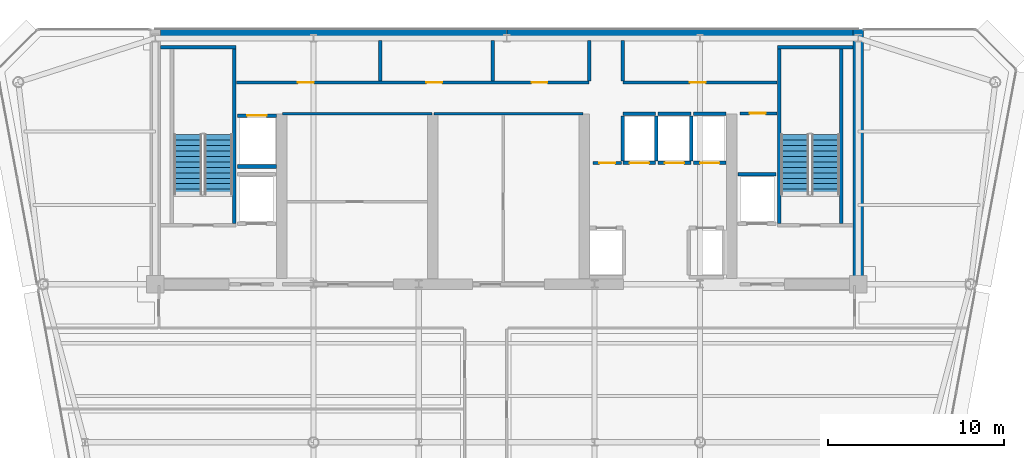
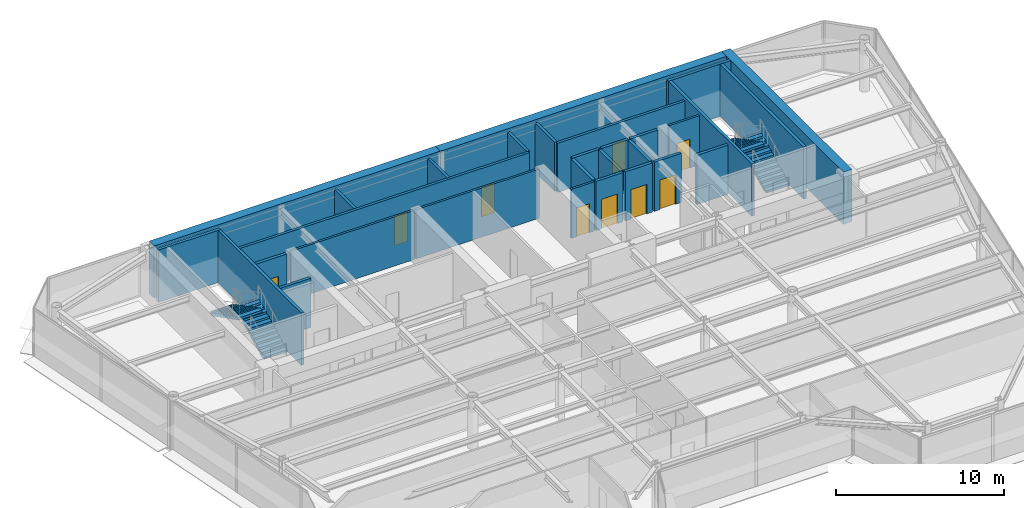
# One storey, part 11 of 18: 30 walls, 10 doors, 4 stair flights, 10 openings, 2 elements without a shape of their own.
"""IFC4 building model written with IfcOpenShell, lengths in metres."""

from ifc_helpers import new_model, si_unit, direction, frame, frame_2d, origin, place, context, subcontext, project, spatial, polyline, rectangle, outline, extrude, source, transform, mapped, material, layer, layer_set, type_object, element, fill, aggregate, save


model = new_model("IFC4")

# Units and contexts
model_context = context("Model", 3, precision=1e-05, world=origin(), true_north=direction((0.0, 1.0)))
body_context = subcontext(model_context, "Body", "Model", "MODEL_VIEW")
ifc_project = project(units=[si_unit("LENGTHUNIT", "METRE"), si_unit("AREAUNIT", "SQUARE_METRE"), si_unit("VOLUMEUNIT", "CUBIC_METRE"), si_unit("PLANEANGLEUNIT", "RADIAN"), si_unit("MASSUNIT", "GRAM", prefix="KILO")], contexts=[model_context])

# Site, building, storey
site_placement = place(None, origin())
site = spatial("IfcSite", under=ifc_project, at=site_placement, CompositionType="ELEMENT")
building_placement = place(site_placement, origin())
building = spatial("IfcBuilding", under=site, at=building_placement, Name="Vaeldorn Concourse Tower", CompositionType="ELEMENT")
storey_placement = place(building_placement, frame((0.0, 0.0, 242.199951171875)))
storey = spatial("IfcBuildingStorey", under=building, at=storey_placement, Name="L62", CompositionType="ELEMENT", Elevation=242.199951171875)

# Walls
ifc_material_1 = material(Name="Concrete C50/60", Category="concrete")
ifc_layer_1 = layer(ifc_material_1, 0.60009765625)
ifc_layer_set_1 = layer_set([ifc_layer_1], Name="Concrete C50/60")
wall_type_1 = type_object("IfcWallType", Name="WL-CORE-600", PredefinedType="SHEAR", material=ifc_layer_set_1)
for number, where, z_axis, x_axis, name in (
    (1, (14.303955078125, 50.699951171875, 0.0), (0.0, 0.0, 1.0), (1.0, 0.0, 0.0), "Rear Core Shear Wall L62 N1"),
    (2, (34.001953125, 50.699951171875, 0.0), (0.0, 0.0, 1.0), (1.0, 0.0, 0.0), "Rear Core Shear Wall L62 N2"),
):
    element("IfcWall", number, at=place(storey_placement, frame(where, z_axis=z_axis, x_axis=x_axis)), inside=storey, type_object=wall_type_1, Name=name, PredefinedType="SHEAR", context=body_context, shape_type="SweptSolid", body=[
        extrude(rectangle(XDim=19.694091796875, YDim=0.60009765625, at=frame_2d((9.84716796875, 0.0))), origin(), (0.0, 0.0, 1.0), 3.800048828125),
    ])
wall_1_placement = place(storey_placement, frame((54.0, 36.5, 0.0), z_axis=(0.0, 0.0, 1.0), x_axis=(0.0, 1.0, 0.0)))
element("IfcWall", 3, at=wall_1_placement, inside=storey, type_object=wall_type_1, Name="Rear Core Shear Wall L62 E1", PredefinedType="SHEAR", context=body_context, shape_type="SweptSolid", body=[
    extrude(rectangle(XDim=14.5, YDim=0.60009765625, at=frame_2d((7.25, 0.0))), origin(), (0.0, 0.0, 1.0), 3.800048828125),
])
ifc_material_2 = material(Name="Gypsum Board Partition", Category="gypsum")
ifc_layer_2 = layer(ifc_material_2, 0.14990234375)
ifc_layer_set_2 = layer_set([ifc_layer_2], Name="Gypsum Board Partition")
wall_type_2 = type_object("IfcWallType", Name="WL-PART-150", PredefinedType="PARTITIONING", material=ifc_layer_set_2)
for number, where, z_axis, x_axis, name in (
    (4, (21.25, 46.199951171875, 0.0), (0.0, 0.0, 1.0), (1.0, 0.0, 0.0), "Interior Wall CW-L62-R1N"),
    (5, (29.85009765625, 46.199951171875, 0.0), (0.0, 0.0, 1.0), (1.0, 0.0, 0.0), "Interior Wall CW-L62-R2N"),
):
    element("IfcWall", number, at=place(storey_placement, frame(where, z_axis=z_axis, x_axis=x_axis)), inside=storey, type_object=wall_type_2, Name=name, PredefinedType="PARTITIONING", context=body_context, shape_type="SweptSolid", body=[
        extrude(rectangle(XDim=8.5, YDim=0.14990234375, at=frame_2d((4.25, 0.0))), origin(), (0.0, 0.0, 1.0), 3.580078125),
    ])

# Wall, opening, door
wall_2_placement = place(storey_placement, frame((47.280029296875, 46.219970703125, 0.0), z_axis=(0.0, 0.0, 1.0), x_axis=(1.0, 0.0, 0.0)))
wall_2 = element("IfcWall", 6, at=wall_2_placement, inside=storey, type_object=wall_type_2, Name="Interior Wall CW-L62-CRSE-N", PredefinedType="PARTITIONING", context=body_context, shape_type="SweptSolid", body=[
    extrude(rectangle(XDim=2.099853515625, YDim=0.14990234375, at=frame_2d((1.0498046875, 0.0))), origin(), (0.0, 0.0, 1.0), 3.580078125),
])
opening_1_placement = place(wall_2_placement, frame((0.550048828125, 0.0, 0.0)))
opening_1 = element("IfcOpeningElement", 7, at=opening_1_placement, cuts=wall_2, Name="Opening D-02", PredefinedType="OPENING", context=body_context, shape_type="SweptSolid", body=[
    extrude(rectangle(XDim=0.89990234375, YDim=2.10009765625, at=frame_2d((0.449951171875, 1.050048828125))), frame((0.0, 0.0849609375, 0.0), z_axis=(0.0, -1.0, 0.0), x_axis=(1.0, 0.0, 0.0)), (0.0, 0.0, 1.0), 0.169921875),
])
ifc_material_3 = material(Name="Fire-Rated Timber Leaf", Category="wood")
door_type_1 = type_object("IfcDoorType", Name="DR-FD30-900", OperationType="NOTDEFINED", PredefinedType="DOOR", material=ifc_material_3)
shared_shape_1 = source(origin(), body_context, "Body", "SweptSolid", [
    extrude(rectangle(XDim=0.89990234375, YDim=2.10009765625, at=frame_2d((0.449951171875, 1.050048828125))), frame((0.0, 0.02490234375, 0.0), z_axis=(0.0, -1.0, 0.0), x_axis=(1.0, 0.0, 0.0)), (0.0, 0.0, 1.0), 0.050048828125),
])
door_1_placement = place(opening_1_placement, origin())
door_1 = element("IfcDoor", 8, at=door_1_placement, inside=storey, type_object=door_type_1, Name="Interior Door DR-L62-CRSE", OperationType="SINGLE_SWING_RIGHT", OverallHeight=2.10009765625, OverallWidth=0.89990234375, PredefinedType="DOOR", context=body_context, shape_type="MappedRepresentation", body=[
    mapped(shared_shape_1, transform((0.0, 0.0, 0.0), scale=1.0)),
])
fill(opening_1, door_1)

wall_3_placement = place(storey_placement, frame((38.919921875, 43.39990234375, 0.0), z_axis=(0.0, 0.0, 1.0), x_axis=(1.0, 0.0, 0.0)))
wall_3 = element("IfcWall", 9, at=wall_3_placement, inside=storey, type_object=wall_type_2, Name="Interior Wall CW-L62-CCLINK", PredefinedType="PARTITIONING", context=body_context, shape_type="SweptSolid", body=[
    extrude(rectangle(XDim=1.60009765625, YDim=0.14990234375, at=frame_2d((0.800048828125, 0.0))), origin(), (0.0, 0.0, 1.0), 3.580078125),
])
opening_2_placement = place(wall_3_placement, frame((0.35009765625, 0.0, 0.0)))
opening_2 = element("IfcOpeningElement", 10, at=opening_2_placement, cuts=wall_3, Name="Opening D-02", PredefinedType="OPENING", context=body_context, shape_type="SweptSolid", body=[
    extrude(rectangle(XDim=0.89990234375, YDim=2.10009765625, at=frame_2d((0.449951171875, 1.050048828125))), frame((0.0, 0.0849609375, 0.0), z_axis=(0.0, -1.0, 0.0), x_axis=(1.0, 0.0, 0.0)), (0.0, 0.0, 1.0), 0.169921875),
])
door_2_placement = place(opening_2_placement, origin())
door_2 = element("IfcDoor", 11, at=door_2_placement, inside=storey, type_object=door_type_1, Name="Interior Door DR-L62-CCLINK", OperationType="SINGLE_SWING_LEFT", OverallHeight=2.10009765625, OverallWidth=0.89990234375, PredefinedType="DOOR", context=body_context, shape_type="MappedRepresentation", body=[
    mapped(shared_shape_1, transform((0.0, 0.0, 0.0), scale=1.0)),
])
fill(opening_2, door_2)

# Wall, openings, doors
ifc_layer_3 = layer(ifc_material_2, 0.179931640625)
ifc_layer_set_3 = layer_set([ifc_layer_3], Name="Gypsum Board Partition")
wall_type_3 = type_object("IfcWallType", Name="WL-PLUMB-180", PredefinedType="PLUMBINGWALL", material=ifc_layer_set_3)
wall_4_placement = place(storey_placement, frame((18.6201171875, 47.97998046875, 0.0), z_axis=(0.0, 0.0, 1.0), x_axis=(1.0, 0.0, 0.0)))
wall_4 = element("IfcWall", 12, at=wall_4_placement, inside=storey, type_object=wall_type_3, Name="Interior Wall CW-L62-NS1W", PredefinedType="PLUMBINGWALL", context=body_context, shape_type="SweptSolid", body=[
    extrude(rectangle(XDim=20.059814453125, YDim=0.179931640625, at=frame_2d((10.02978515625, 0.0))), origin(), (0.0, 0.0, 1.0), 3.580078125),
])
opening_3_placement = place(wall_4_placement, frame((3.5, 0.0, 0.0)))
opening_3 = element("IfcOpeningElement", 13, at=opening_3_placement, cuts=wall_4, Name="Opening D-03", PredefinedType="OPENING", context=body_context, shape_type="SweptSolid", body=[
    extrude(rectangle(XDim=0.89990234375, YDim=2.14990234375, at=frame_2d((0.449951171875, 1.074951171875))), frame((0.0, 0.10009765625, 0.0), z_axis=(0.0, -1.0, 0.0), x_axis=(1.0, 0.0, 0.0)), (0.0, 0.0, 1.0), 0.199951171875),
])
opening_4_placement = place(wall_4_placement, frame((10.800048828125, 0.0, 0.0)))
opening_4 = element("IfcOpeningElement", 14, at=opening_4_placement, cuts=wall_4, Name="Opening D-03", PredefinedType="OPENING", context=body_context, shape_type="SweptSolid", body=[
    extrude(rectangle(XDim=0.89990234375, YDim=2.14990234375, at=frame_2d((0.449951171875, 1.074951171875))), frame((0.0, 0.10009765625, 0.0), z_axis=(0.0, -1.0, 0.0), x_axis=(1.0, 0.0, 0.0)), (0.0, 0.0, 1.0), 0.199951171875),
])
opening_5_placement = place(wall_4_placement, frame((16.800048828125, 0.0, 0.0)))
opening_5 = element("IfcOpeningElement", 15, at=opening_5_placement, cuts=wall_4, Name="Opening D-03", PredefinedType="OPENING", context=body_context, shape_type="SweptSolid", body=[
    extrude(rectangle(XDim=0.89990234375, YDim=2.14990234375, at=frame_2d((0.449951171875, 1.074951171875))), frame((0.0, 0.10009765625, 0.0), z_axis=(0.0, -1.0, 0.0), x_axis=(1.0, 0.0, 0.0)), (0.0, 0.0, 1.0), 0.199951171875),
])
ifc_material_4 = material(Name="Acoustic Bronze-Framed Glass Door", Category="glass")
door_type_2 = type_object("IfcDoorType", Name="DR-INT-900", OperationType="NOTDEFINED", PredefinedType="DOOR", material=ifc_material_4)
shared_shape_2 = source(origin(), body_context, "Body", "SweptSolid", [
    extrude(rectangle(XDim=0.89990234375, YDim=2.14990234375, at=frame_2d((0.449951171875, 1.074951171875))), frame((0.0, 0.02490234375, 0.0), z_axis=(0.0, -1.0, 0.0), x_axis=(1.0, 0.0, 0.0)), (0.0, 0.0, 1.0), 0.050048828125),
])
door_3_placement = place(opening_3_placement, origin())
door_3 = element("IfcDoor", 16, at=door_3_placement, inside=storey, type_object=door_type_2, Name="Interior Door DR-L62-CS1", OperationType="SINGLE_SWING_LEFT", OverallHeight=2.14990234375, OverallWidth=0.89990234375, PredefinedType="DOOR", context=body_context, shape_type="MappedRepresentation", body=[
    mapped(shared_shape_2, transform((0.0, 0.0, 0.0), scale=1.0)),
])
fill(opening_3, door_3)
door_4_placement = place(opening_4_placement, origin())
door_4 = element("IfcDoor", 17, at=door_4_placement, inside=storey, type_object=door_type_2, Name="Interior Door DR-L62-CS2", OperationType="SINGLE_SWING_RIGHT", OverallHeight=2.14990234375, OverallWidth=0.89990234375, PredefinedType="DOOR", context=body_context, shape_type="MappedRepresentation", body=[
    mapped(shared_shape_2, transform((0.0, 0.0, 0.0), scale=1.0)),
])
fill(opening_4, door_4)
door_5_placement = place(opening_5_placement, origin())
door_5 = element("IfcDoor", 18, at=door_5_placement, inside=storey, type_object=door_type_2, Name="Interior Door DR-L62-CS3", OperationType="SINGLE_SWING_LEFT", OverallHeight=2.14990234375, OverallWidth=0.89990234375, PredefinedType="DOOR", context=body_context, shape_type="MappedRepresentation", body=[
    mapped(shared_shape_2, transform((0.0, 0.0, 0.0), scale=1.0)),
])
fill(opening_5, door_5)

# Wall, opening, door
wall_5_placement = place(storey_placement, frame((40.6201171875, 47.97998046875, 0.0), z_axis=(0.0, 0.0, 1.0), x_axis=(1.0, 0.0, 0.0)))
wall_5 = element("IfcWall", 19, at=wall_5_placement, inside=storey, type_object=wall_type_3, Name="Interior Wall CW-L62-NS1E", PredefinedType="PLUMBINGWALL", context=body_context, shape_type="SweptSolid", body=[
    extrude(rectangle(XDim=8.759765625, YDim=0.179931640625, at=frame_2d((4.3798828125, 0.0))), origin(), (0.0, 0.0, 1.0), 3.580078125),
])
opening_6_placement = place(wall_5_placement, frame((3.800048828125, 0.0, 0.0)))
opening_6 = element("IfcOpeningElement", 20, at=opening_6_placement, cuts=wall_5, Name="Opening D-03", PredefinedType="OPENING", context=body_context, shape_type="SweptSolid", body=[
    extrude(rectangle(XDim=0.89990234375, YDim=2.14990234375, at=frame_2d((0.449951171875, 1.074951171875))), frame((0.0, 0.10009765625, 0.0), z_axis=(0.0, -1.0, 0.0), x_axis=(1.0, 0.0, 0.0)), (0.0, 0.0, 1.0), 0.199951171875),
])
door_6_placement = place(opening_6_placement, origin())
door_6 = element("IfcDoor", 21, at=door_6_placement, inside=storey, type_object=door_type_2, Name="Interior Door DR-L62-CS4", OperationType="SINGLE_SWING_RIGHT", OverallHeight=2.14990234375, OverallWidth=0.89990234375, PredefinedType="DOOR", context=body_context, shape_type="MappedRepresentation", body=[
    mapped(shared_shape_2, transform((0.0, 0.0, 0.0), scale=1.0)),
])
fill(opening_6, door_6)

# Walls
for number, where, z_axis, x_axis, name in (
    (22, (26.800048828125, 48.06005859375, 0.0), (0.0, 0.0, 1.0), (0.0, 1.0, 0.0), "Interior Wall CW-L62-NDIV1"),
    (23, (33.199951171875, 48.06005859375, 0.0), (0.0, 0.0, 1.0), (0.0, 1.0, 0.0), "Interior Wall CW-L62-NDIV2"),
    (24, (38.699951171875, 48.06005859375, 0.0), (0.0, 0.0, 1.0), (0.0, 1.0, 0.0), "Interior Wall CW-L62-NDIV3"),
    (25, (40.60009765625, 48.06005859375, 0.0), (0.0, 0.0, 1.0), (0.0, 1.0, 0.0), "Interior Wall CW-L62-NDIV4"),
):
    element("IfcWall", number, at=place(storey_placement, frame(where, z_axis=z_axis, x_axis=x_axis)), inside=storey, type_object=wall_type_3, Name=name, PredefinedType="PLUMBINGWALL", context=body_context, shape_type="SweptSolid", body=[
        extrude(rectangle(XDim=2.31982421875, YDim=0.179931640625, at=frame_2d((1.159912109375, 0.0))), origin(), (0.0, 0.0, 1.0), 3.580078125),
    ])
ifc_layer_4 = layer(ifc_material_1, 0.199951171875)
ifc_layer_set_4 = layer_set([ifc_layer_4], Name="Concrete C50/60")
wall_type_4 = type_object("IfcWallType", Name="WL-SHAFT-200", PredefinedType="SOLIDWALL", material=ifc_layer_set_4)
wall_6_placement = place(storey_placement, frame((14.300048828125, 50.0, 0.0), z_axis=(0.0, 0.0, 1.0), x_axis=(1.0, 0.0, 0.0)))
element("IfcWall", 26, at=wall_6_placement, inside=storey, type_object=wall_type_4, Name="Stair Shaft Wall CW-L62-ST-1-N", PredefinedType="SOLIDWALL", context=body_context, shape_type="SweptSolid", body=[
    extrude(rectangle(XDim=4.300048828125, YDim=0.199951171875, at=frame_2d((2.14990234375, 0.0))), origin(), (0.0, 0.0, 1.0), 3.800048828125),
])
wall_7_placement = place(storey_placement, frame((18.5, 39.9599609375, 0.0), z_axis=(0.0, 0.0, 1.0), x_axis=(0.0, 1.0, 0.0)))
element("IfcWall", 27, at=wall_7_placement, inside=storey, type_object=wall_type_4, Name="Stair Shaft Wall CW-L62-ST-1-E", PredefinedType="SOLIDWALL", context=body_context, shape_type="SweptSolid", body=[
    extrude(rectangle(XDim=9.929931640625, YDim=0.199951171875, at=frame_2d((4.96484375, 0.0))), origin(), (0.0, 0.0, 1.0), 3.800048828125),
])
wall_8_placement = place(storey_placement, frame((49.39990234375, 50.0, 0.0), z_axis=(0.0, 0.0, 1.0), x_axis=(1.0, 0.0, 0.0)))
element("IfcWall", 28, at=wall_8_placement, inside=storey, type_object=wall_type_4, Name="Stair Shaft Wall CW-L62-ST-2-N", PredefinedType="SOLIDWALL", context=body_context, shape_type="SweptSolid", body=[
    extrude(rectangle(XDim=4.300048828125, YDim=0.199951171875, at=frame_2d((2.14990234375, 0.0))), origin(), (0.0, 0.0, 1.0), 3.800048828125),
])
for number, where, z_axis, x_axis, name in (
    (29, (49.5, 39.9599609375, 0.0), (0.0, 0.0, 1.0), (0.0, 1.0, 0.0), "Stair Shaft Wall CW-L62-ST-2-W"),
    (30, (53.050048828125, 39.9599609375, 0.0), (0.0, 0.0, 1.0), (0.0, 1.0, 0.0), "Stair Shaft Wall CW-L62-ST-2-E"),
):
    element("IfcWall", number, at=place(storey_placement, frame(where, z_axis=z_axis, x_axis=x_axis)), inside=storey, type_object=wall_type_4, Name=name, PredefinedType="SOLIDWALL", context=body_context, shape_type="SweptSolid", body=[
        extrude(rectangle(XDim=9.929931640625, YDim=0.199951171875, at=frame_2d((4.96484375, 0.0))), origin(), (0.0, 0.0, 1.0), 3.800048828125),
    ])

# Wall, opening, door
wall_9_placement = place(storey_placement, frame((40.6201171875, 43.39990234375, 0.0), z_axis=(0.0, 0.0, 1.0), x_axis=(1.0, 0.0, 0.0)))
wall_9 = element("IfcWall", 31, at=wall_9_placement, inside=storey, type_object=wall_type_4, Name="Interior Wall CW-L62-LF-LF-15", PredefinedType="SOLIDWALL", context=body_context, shape_type="SweptSolid", body=[
    extrude(rectangle(XDim=1.85986328125, YDim=0.199951171875, at=frame_2d((0.929931640625, 0.0))), origin(), (0.0, 0.0, 1.0), 3.580078125),
])
opening_7_placement = place(wall_9_placement, frame((0.3798828125, 0.0, 0.0)))
opening_7 = element("IfcOpeningElement", 32, at=opening_7_placement, cuts=wall_9, Name="Opening LD-1", PredefinedType="OPENING", context=body_context, shape_type="SweptSolid", body=[
    extrude(rectangle(XDim=1.10009765625, YDim=2.14990234375, at=frame_2d((0.550048828125, 1.074951171875))), frame((0.0, 0.10986328125, 0.0), z_axis=(0.0, -1.0, 0.0), x_axis=(1.0, 0.0, 0.0)), (0.0, 0.0, 1.0), 0.219970703125),
])
ifc_material_5 = material(Name="Anodised Bronze Aluminium", Category="aluminium")
door_type_3 = type_object("IfcDoorType", Name="DR-LIFT-SLIDE-1100", OperationType="DOUBLE_DOOR_SLIDING", PredefinedType="DOOR", material=ifc_material_5)
shared_shape_3 = source(origin(), body_context, "Body", "SweptSolid", [
    extrude(rectangle(XDim=1.10009765625, YDim=2.14990234375, at=frame_2d((0.550048828125, 1.074951171875))), frame((0.0, 0.02490234375, 0.0), z_axis=(0.0, -1.0, 0.0), x_axis=(1.0, 0.0, 0.0)), (0.0, 0.0, 1.0), 0.050048828125),
])
door_7_placement = place(opening_7_placement, origin())
door_7 = element("IfcDoor", 33, at=door_7_placement, inside=storey, type_object=door_type_3, Name="Lift Landing Door LD-L62-LF-15", OperationType="DOUBLE_DOOR_SLIDING", OverallHeight=2.14990234375, OverallWidth=1.10009765625, PredefinedType="DOOR", context=body_context, shape_type="MappedRepresentation", body=[
    mapped(shared_shape_3, transform((0.0, 0.0, 0.0), scale=1.0)),
])
fill(opening_7, door_7)

# Walls
wall_10_placement = place(storey_placement, frame((40.6201171875, 46.199951171875, 0.0), z_axis=(0.0, 0.0, 1.0), x_axis=(1.0, 0.0, 0.0)))
element("IfcWall", 34, at=wall_10_placement, inside=storey, type_object=wall_type_4, Name="Interior Wall CW-L62-LFB-LF-15", PredefinedType="SOLIDWALL", context=body_context, shape_type="SweptSolid", body=[
    extrude(rectangle(XDim=1.85986328125, YDim=0.199951171875, at=frame_2d((0.929931640625, 0.0))), origin(), (0.0, 0.0, 1.0), 3.580078125),
])
for number, where, z_axis, x_axis, name in (
    (35, (40.60009765625, 43.52001953125, 0.0), (0.0, 0.0, 1.0), (0.0, 1.0, 0.0), "Interior Wall CW-L62-LFW-LF-15"),
    (36, (42.5, 43.52001953125, 0.0), (0.0, 0.0, 1.0), (0.0, 1.0, 0.0), "Interior Wall CW-L62-LFE-LF-15"),
):
    element("IfcWall", number, at=place(storey_placement, frame(where, z_axis=z_axis, x_axis=x_axis)), inside=storey, type_object=wall_type_4, Name=name, PredefinedType="SOLIDWALL", context=body_context, shape_type="SweptSolid", body=[
        extrude(rectangle(XDim=2.56005859375, YDim=0.199951171875, at=frame_2d((1.280029296875, 0.0))), origin(), (0.0, 0.0, 1.0), 3.580078125),
    ])

# Wall, opening, door
wall_11_placement = place(storey_placement, frame((42.6201171875, 43.39990234375, 0.0), z_axis=(0.0, 0.0, 1.0), x_axis=(1.0, 0.0, 0.0)))
wall_11 = element("IfcWall", 37, at=wall_11_placement, inside=storey, type_object=wall_type_4, Name="Interior Wall CW-L62-LF-LF-16", PredefinedType="SOLIDWALL", context=body_context, shape_type="SweptSolid", body=[
    extrude(rectangle(XDim=1.85986328125, YDim=0.199951171875, at=frame_2d((0.929931640625, 0.0))), origin(), (0.0, 0.0, 1.0), 3.580078125),
])
opening_8_placement = place(wall_11_placement, frame((0.3798828125, 0.0, 0.0)))
opening_8 = element("IfcOpeningElement", 38, at=opening_8_placement, cuts=wall_11, Name="Opening LD-1", PredefinedType="OPENING", context=body_context, shape_type="SweptSolid", body=[
    extrude(rectangle(XDim=1.10009765625, YDim=2.14990234375, at=frame_2d((0.550048828125, 1.074951171875))), frame((0.0, 0.10986328125, 0.0), z_axis=(0.0, -1.0, 0.0), x_axis=(1.0, 0.0, 0.0)), (0.0, 0.0, 1.0), 0.219970703125),
])
door_8_placement = place(opening_8_placement, origin())
door_8 = element("IfcDoor", 39, at=door_8_placement, inside=storey, type_object=door_type_3, Name="Lift Landing Door LD-L62-LF-16", OperationType="DOUBLE_DOOR_SLIDING", OverallHeight=2.14990234375, OverallWidth=1.10009765625, PredefinedType="DOOR", context=body_context, shape_type="MappedRepresentation", body=[
    mapped(shared_shape_3, transform((0.0, 0.0, 0.0), scale=1.0)),
])
fill(opening_8, door_8)

# Walls
wall_12_placement = place(storey_placement, frame((42.6201171875, 46.199951171875, 0.0), z_axis=(0.0, 0.0, 1.0), x_axis=(1.0, 0.0, 0.0)))
element("IfcWall", 40, at=wall_12_placement, inside=storey, type_object=wall_type_4, Name="Interior Wall CW-L62-LFB-LF-16", PredefinedType="SOLIDWALL", context=body_context, shape_type="SweptSolid", body=[
    extrude(rectangle(XDim=1.85986328125, YDim=0.199951171875, at=frame_2d((0.929931640625, 0.0))), origin(), (0.0, 0.0, 1.0), 3.580078125),
])
wall_13_placement = place(storey_placement, frame((44.5, 43.52001953125, 0.0), z_axis=(0.0, 0.0, 1.0), x_axis=(0.0, 1.0, 0.0)))
element("IfcWall", 41, at=wall_13_placement, inside=storey, type_object=wall_type_4, Name="Interior Wall CW-L62-LFE-LF-16", PredefinedType="SOLIDWALL", context=body_context, shape_type="SweptSolid", body=[
    extrude(rectangle(XDim=2.56005859375, YDim=0.199951171875, at=frame_2d((1.280029296875, 0.0))), origin(), (0.0, 0.0, 1.0), 3.580078125),
])

# Wall, opening, door
wall_14_placement = place(storey_placement, frame((44.6201171875, 43.39990234375, 0.0), z_axis=(0.0, 0.0, 1.0), x_axis=(1.0, 0.0, 0.0)))
wall_14 = element("IfcWall", 42, at=wall_14_placement, inside=storey, type_object=wall_type_4, Name="Interior Wall CW-L62-LF-LF-17", PredefinedType="SOLIDWALL", context=body_context, shape_type="SweptSolid", body=[
    extrude(rectangle(XDim=1.85986328125, YDim=0.199951171875, at=frame_2d((0.929931640625, 0.0))), origin(), (0.0, 0.0, 1.0), 3.580078125),
])
opening_9_placement = place(wall_14_placement, frame((0.3798828125, 0.0, 0.0)))
opening_9 = element("IfcOpeningElement", 43, at=opening_9_placement, cuts=wall_14, Name="Opening LD-1", PredefinedType="OPENING", context=body_context, shape_type="SweptSolid", body=[
    extrude(rectangle(XDim=1.10009765625, YDim=2.14990234375, at=frame_2d((0.550048828125, 1.074951171875))), frame((0.0, 0.10986328125, 0.0), z_axis=(0.0, -1.0, 0.0), x_axis=(1.0, 0.0, 0.0)), (0.0, 0.0, 1.0), 0.219970703125),
])
door_9_placement = place(opening_9_placement, origin())
door_9 = element("IfcDoor", 44, at=door_9_placement, inside=storey, type_object=door_type_3, Name="Lift Landing Door LD-L62-LF-17", OperationType="DOUBLE_DOOR_SLIDING", OverallHeight=2.14990234375, OverallWidth=1.10009765625, PredefinedType="DOOR", context=body_context, shape_type="MappedRepresentation", body=[
    mapped(shared_shape_3, transform((0.0, 0.0, 0.0), scale=1.0)),
])
fill(opening_9, door_9)

# Wall
wall_15_placement = place(storey_placement, frame((44.6201171875, 46.199951171875, 0.0), z_axis=(0.0, 0.0, 1.0), x_axis=(1.0, 0.0, 0.0)))
element("IfcWall", 45, at=wall_15_placement, inside=storey, type_object=wall_type_4, Name="Interior Wall CW-L62-LFB-LF-17", PredefinedType="SOLIDWALL", context=body_context, shape_type="SweptSolid", body=[
    extrude(rectangle(XDim=1.85986328125, YDim=0.199951171875, at=frame_2d((0.929931640625, 0.0))), origin(), (0.0, 0.0, 1.0), 3.580078125),
])

# Wall, opening, door
wall_16_placement = place(storey_placement, frame((18.669921875, 46.10009765625, 0.0), z_axis=(0.0, 0.0, 1.0), x_axis=(1.0, 0.0, 0.0)))
wall_16 = element("IfcWall", 46, at=wall_16_placement, inside=storey, type_object=wall_type_4, Name="Interior Wall CW-L62-LF-LF-SV1", PredefinedType="SOLIDWALL", context=body_context, shape_type="SweptSolid", body=[
    extrude(rectangle(XDim=2.219970703125, YDim=0.199951171875, at=frame_2d((1.10986328125, 0.0))), origin(), (0.0, 0.0, 1.0), 3.580078125),
])
opening_10_placement = place(wall_16_placement, frame((0.56005859375, 0.0, 0.0)))
opening_10 = element("IfcOpeningElement", 47, at=opening_10_placement, cuts=wall_16, Name="Opening LD-1", PredefinedType="OPENING", context=body_context, shape_type="SweptSolid", body=[
    extrude(rectangle(XDim=1.10009765625, YDim=2.14990234375, at=frame_2d((0.550048828125, 1.074951171875))), frame((0.0, 0.10986328125, 0.0), z_axis=(0.0, -1.0, 0.0), x_axis=(1.0, 0.0, 0.0)), (0.0, 0.0, 1.0), 0.219970703125),
])
door_10_placement = place(opening_10_placement, origin())
door_10 = element("IfcDoor", 48, at=door_10_placement, inside=storey, type_object=door_type_3, Name="Lift Landing Door LD-L62-LF-SV1", OperationType="DOUBLE_DOOR_SLIDING", OverallHeight=2.14990234375, OverallWidth=1.10009765625, PredefinedType="DOOR", context=body_context, shape_type="MappedRepresentation", body=[
    mapped(shared_shape_3, transform((0.0, 0.0, 0.0), scale=1.0)),
])
fill(opening_10, door_10)

# Walls
wall_17_placement = place(storey_placement, frame((18.669921875, 43.199951171875, 0.0), z_axis=(0.0, 0.0, 1.0), x_axis=(1.0, 0.0, 0.0)))
element("IfcWall", 49, at=wall_17_placement, inside=storey, type_object=wall_type_4, Name="Interior Wall CW-L62-LFB-LF-SV1", PredefinedType="SOLIDWALL", context=body_context, shape_type="SweptSolid", body=[
    extrude(rectangle(XDim=2.219970703125, YDim=0.199951171875, at=frame_2d((1.10986328125, 0.0))), origin(), (0.0, 0.0, 1.0), 3.580078125),
])
wall_18_placement = place(storey_placement, frame((47.169921875, 42.75, 0.0), z_axis=(0.0, 0.0, 1.0), x_axis=(1.0, 0.0, 0.0)))
element("IfcWall", 50, at=wall_18_placement, inside=storey, type_object=wall_type_4, Name="Interior Wall CW-L62-LFB-LF-FF2", PredefinedType="SOLIDWALL", context=body_context, shape_type="SweptSolid", body=[
    extrude(rectangle(XDim=2.16015625, YDim=0.199951171875, at=frame_2d((1.080078125, 0.0))), origin(), (0.0, 0.0, 1.0), 3.580078125),
])

# Stair, stair flights
ifc_material_6 = material(Name="Precast concrete C40/50", Category="concrete")
stair_type = type_object("IfcStairType", Name="STR-DOG-24x158", PredefinedType="HALF_TURN_STAIR", material=ifc_material_6)
stair_1_placement = place(storey_placement, origin())
stair_1 = element("IfcStair", 51, at=stair_1_placement, inside=storey, type_object=stair_type, Name="L62 West Core Exit Stair ST-1", PredefinedType="HALF_TURN_STAIR")
stair_flight_type = type_object("IfcStairFlightType", Name="STF-STR-12x158", PredefinedType="STRAIGHT", material=ifc_material_6)
stair_flight_1_placement = place(storey_placement, frame((17.60009765625, 41.60009765625, 0.0), z_axis=(0.0, 0.0, 1.0), x_axis=(0.0, 1.0, 0.0)))
stair_flight_1 = element("IfcStairFlight", 52, at=stair_flight_1_placement, type_object=stair_flight_type, Name="ST-1 flight 1", NumberOfRisers=12, NumberOfTreads=11, PredefinedType="STRAIGHT", RiserHeight=0.158333333, TreadLength=0.31, context=body_context, shape_type="SweptSolid", body=[
    extrude(outline(polyline([(0.0, 0.0), (0.0, 0.158447265625), (0.31005859375, 0.158447265625), (0.31005859375, 0.316650390625), (0.6201171875, 0.316650390625), (0.6201171875, 0.47509765625), (0.929931640625, 0.47509765625), (0.929931640625, 0.63330078125), (1.239990234375, 0.63330078125), (1.239990234375, 0.791748046875), (1.550048828125, 0.791748046875), (1.550048828125, 0.949951171875), (1.860107421875, 0.949951171875), (1.860107421875, 1.1083984375), (2.169921875, 1.1083984375), (2.169921875, 1.2666015625), (2.47998046875, 1.2666015625), (2.47998046875, 1.425048828125), (2.7900390625, 1.425048828125), (2.7900390625, 1.583251953125), (3.10009765625, 1.583251953125), (3.10009765625, 1.74169921875), (3.409912109375, 1.74169921875), (3.409912109375, 1.89990234375), (3.409912109375, 1.5732421875), (0.32958984375, 0.0), (0.0, 0.0)])), frame((0.0, 0.800048828125, 0.0), z_axis=(0.0, -1.0, 0.0), x_axis=(1.0, 0.0, 0.0)), (0.0, 0.0, 1.0), 1.60009765625),
])
stair_flight_2_placement = place(storey_placement, frame((15.85009765625, 45.010009765625, 1.900146484375), z_axis=(0.0, 0.0, 1.0), x_axis=(0.0, -1.0, 0.0)))
stair_flight_2 = element("IfcStairFlight", 53, at=stair_flight_2_placement, type_object=stair_flight_type, Name="ST-1 flight 2", NumberOfRisers=12, NumberOfTreads=11, PredefinedType="STRAIGHT", RiserHeight=0.158333333, TreadLength=0.31, context=body_context, shape_type="SweptSolid", body=[
    extrude(outline(polyline([(0.0, 0.0), (0.0, 0.158447265625), (0.31005859375, 0.158447265625), (0.31005859375, 0.316650390625), (0.6201171875, 0.316650390625), (0.6201171875, 0.47509765625), (0.929931640625, 0.47509765625), (0.929931640625, 0.63330078125), (1.239990234375, 0.63330078125), (1.239990234375, 0.791748046875), (1.550048828125, 0.791748046875), (1.550048828125, 0.949951171875), (1.860107421875, 0.949951171875), (1.860107421875, 1.1083984375), (2.169921875, 1.1083984375), (2.169921875, 1.2666015625), (2.47998046875, 1.2666015625), (2.47998046875, 1.425048828125), (2.7900390625, 1.425048828125), (2.7900390625, 1.583251953125), (3.10009765625, 1.583251953125), (3.10009765625, 1.74169921875), (3.409912109375, 1.74169921875), (3.409912109375, 1.89990234375), (3.409912109375, 1.5732421875), (0.32958984375, 0.0), (0.0, 0.0)])), frame((0.0, 0.800048828125, 0.0), z_axis=(0.0, -1.0, 0.0), x_axis=(1.0, 0.0, 0.0)), (0.0, 0.0, 1.0), 1.60009765625),
])
aggregate(stair_1, [stair_flight_1, stair_flight_2])

stair_2_placement = place(storey_placement, origin())
stair_2 = element("IfcStair", 54, at=stair_2_placement, inside=storey, type_object=stair_type, Name="L62 East Core Exit Stair ST-2", PredefinedType="HALF_TURN_STAIR")
stair_flight_3_placement = place(storey_placement, frame((52.14990234375, 41.60009765625, 0.0), z_axis=(0.0, 0.0, 1.0), x_axis=(0.0, 1.0, 0.0)))
stair_flight_3 = element("IfcStairFlight", 55, at=stair_flight_3_placement, type_object=stair_flight_type, Name="ST-2 flight 1", NumberOfRisers=12, NumberOfTreads=11, PredefinedType="STRAIGHT", RiserHeight=0.158333333, TreadLength=0.31, context=body_context, shape_type="SweptSolid", body=[
    extrude(outline(polyline([(0.0, 0.0), (0.0, 0.158447265625), (0.31005859375, 0.158447265625), (0.31005859375, 0.316650390625), (0.6201171875, 0.316650390625), (0.6201171875, 0.47509765625), (0.929931640625, 0.47509765625), (0.929931640625, 0.63330078125), (1.239990234375, 0.63330078125), (1.239990234375, 0.791748046875), (1.550048828125, 0.791748046875), (1.550048828125, 0.949951171875), (1.860107421875, 0.949951171875), (1.860107421875, 1.1083984375), (2.169921875, 1.1083984375), (2.169921875, 1.2666015625), (2.47998046875, 1.2666015625), (2.47998046875, 1.425048828125), (2.7900390625, 1.425048828125), (2.7900390625, 1.583251953125), (3.10009765625, 1.583251953125), (3.10009765625, 1.74169921875), (3.409912109375, 1.74169921875), (3.409912109375, 1.89990234375), (3.409912109375, 1.5732421875), (0.32958984375, 0.0), (0.0, 0.0)])), frame((0.0, 0.800048828125, 0.0), z_axis=(0.0, -1.0, 0.0), x_axis=(1.0, 0.0, 0.0)), (0.0, 0.0, 1.0), 1.60009765625),
])
stair_flight_4_placement = place(storey_placement, frame((50.39990234375, 45.010009765625, 1.900146484375), z_axis=(0.0, 0.0, 1.0), x_axis=(0.0, -1.0, 0.0)))
stair_flight_4 = element("IfcStairFlight", 56, at=stair_flight_4_placement, type_object=stair_flight_type, Name="ST-2 flight 2", NumberOfRisers=12, NumberOfTreads=11, PredefinedType="STRAIGHT", RiserHeight=0.158333333, TreadLength=0.31, context=body_context, shape_type="SweptSolid", body=[
    extrude(outline(polyline([(0.0, 0.0), (0.0, 0.158447265625), (0.31005859375, 0.158447265625), (0.31005859375, 0.316650390625), (0.6201171875, 0.316650390625), (0.6201171875, 0.47509765625), (0.929931640625, 0.47509765625), (0.929931640625, 0.63330078125), (1.239990234375, 0.63330078125), (1.239990234375, 0.791748046875), (1.550048828125, 0.791748046875), (1.550048828125, 0.949951171875), (1.860107421875, 0.949951171875), (1.860107421875, 1.1083984375), (2.169921875, 1.1083984375), (2.169921875, 1.2666015625), (2.47998046875, 1.2666015625), (2.47998046875, 1.425048828125), (2.7900390625, 1.425048828125), (2.7900390625, 1.583251953125), (3.10009765625, 1.583251953125), (3.10009765625, 1.74169921875), (3.409912109375, 1.74169921875), (3.409912109375, 1.89990234375), (3.409912109375, 1.5732421875), (0.32958984375, 0.0), (0.0, 0.0)])), frame((0.0, 0.800048828125, 0.0), z_axis=(0.0, -1.0, 0.0), x_axis=(1.0, 0.0, 0.0)), (0.0, 0.0, 1.0), 1.60009765625),
])
aggregate(stair_2, [stair_flight_3, stair_flight_4])

save(model, "model.ifc")
